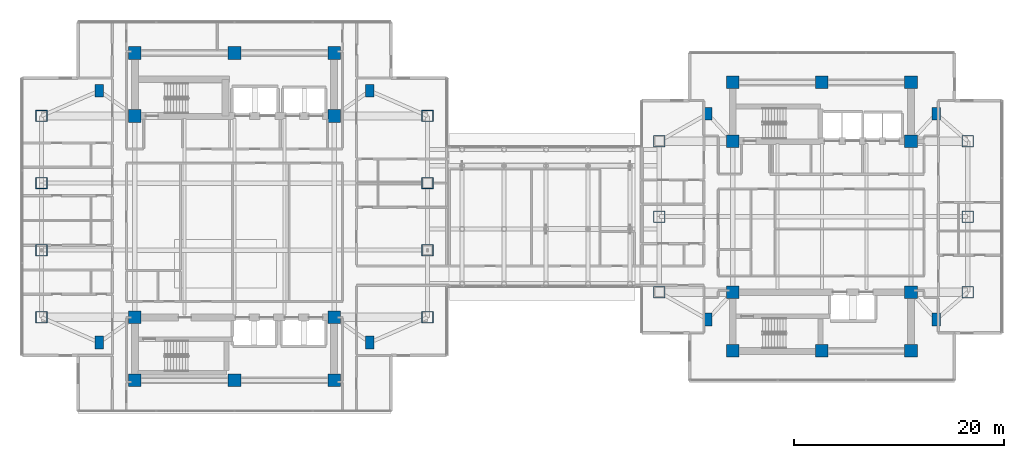
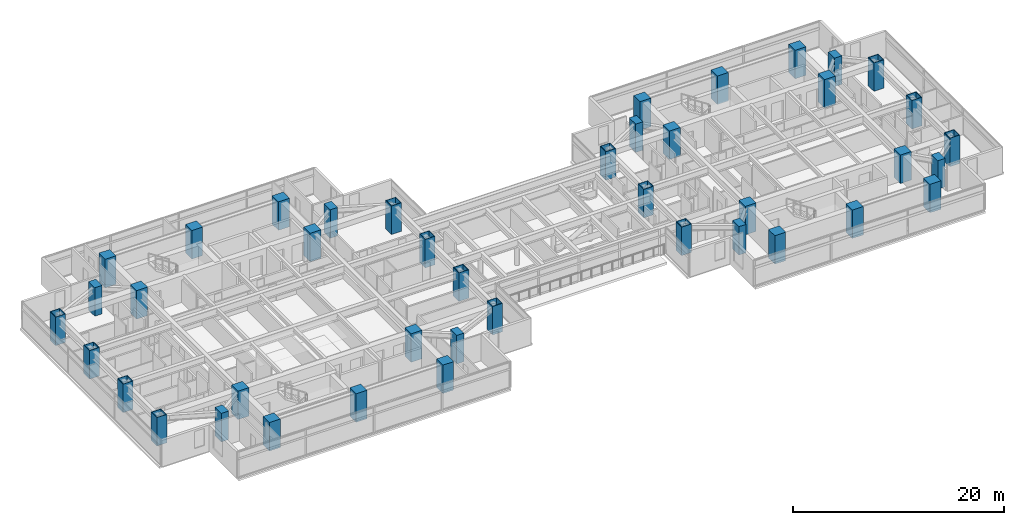
# One storey, part 1 of 29: 42 columns.
"""IFC4 building model written with IfcOpenShell, lengths in metres."""

from ifc_helpers import new_model, si_unit, direction, frame, origin, origin_2d, place, context, subcontext, project, spatial, rectangle, hollow_rectangle, extrude, material, material_profile, profile_set, type_object, element, save


model = new_model("IFC4")

# Units and contexts
model_context = context("Model", 3, precision=1e-05, world=origin(), true_north=direction((0.0, 1.0)))
body_context = subcontext(model_context, "Body", "Model", "MODEL_VIEW")
ifc_project = project(units=[si_unit("LENGTHUNIT", "METRE"), si_unit("AREAUNIT", "SQUARE_METRE"), si_unit("VOLUMEUNIT", "CUBIC_METRE"), si_unit("PLANEANGLEUNIT", "RADIAN"), si_unit("MASSUNIT", "GRAM", prefix="KILO")], contexts=[model_context])

# Site, building, storey
site_placement = place(None, origin())
site = spatial("IfcSite", under=ifc_project, at=site_placement, CompositionType="ELEMENT")
building_placement = place(site_placement, origin())
building = spatial("IfcBuilding", under=site, at=building_placement, Name="Mirazonda Arch Towers", CompositionType="ELEMENT")
storey_placement = place(building_placement, frame((0.0, 0.0, 88.39990234375)))
storey = spatial("IfcBuildingStorey", under=building, at=storey_placement, Name="L24", CompositionType="ELEMENT", Elevation=88.39990234375)

# Columns
ifc_material_1 = material(Name="Concrete C50/60", Category="concrete")
ifc_material_profile_1 = material_profile(ifc_material_1, rectangle(XDim=1.199951171875, YDim=1.199951171875, at=origin_2d()), Name="RC1200x1200")
ifc_profile_set_1 = profile_set([ifc_material_profile_1], Name="Concrete C50/60")
column_type_1 = type_object("IfcColumnType", Name="COL-INT-RC1200x1200", PredefinedType="COLUMN", material=ifc_profile_set_1)
for number, where, z_axis, x_axis, name in (
    (1, (11.0, 12.39990234375, 0.0), (0.0, 0.0, 1.0), (1.0, 0.0, 0.0), "L24 T1 Core Column 01"),
    (2, (20.5, 12.39990234375, 0.0), (0.0, 0.0, 1.0), (1.0, 0.0, 0.0), "L24 T1 Core Column 02"),
    (3, (30.0, 12.39990234375, 0.0), (0.0, 0.0, 1.0), (1.0, 0.0, 0.0), "L24 T1 Core Column 03"),
    (4, (11.0, 18.39990234375, 0.0), (0.0, 0.0, 1.0), (1.0, 0.0, 0.0), "L24 T1 Core Column 04"),
    (5, (30.0, 18.39990234375, 0.0), (0.0, 0.0, 1.0), (1.0, 0.0, 0.0), "L24 T1 Core Column 05"),
    (6, (11.0, 37.60009765625, 0.0), (0.0, 0.0, 1.0), (1.0, 0.0, 0.0), "L24 T1 Core Column 06"),
    (7, (30.0, 37.60009765625, 0.0), (0.0, 0.0, 1.0), (1.0, 0.0, 0.0), "L24 T1 Core Column 07"),
    (8, (11.0, 43.60009765625, 0.0), (0.0, 0.0, 1.0), (1.0, 0.0, 0.0), "L24 T1 Core Column 08"),
    (9, (20.5, 43.60009765625, 0.0), (0.0, 0.0, 1.0), (1.0, 0.0, 0.0), "L24 T1 Core Column 09"),
    (10, (30.0, 43.60009765625, 0.0), (0.0, 0.0, 1.0), (1.0, 0.0, 0.0), "L24 T1 Core Column 10"),
    (11, (68.0, 15.199951171875, 0.0), (0.0, 0.0, 1.0), (1.0, 0.0, 0.0), "L24 T2 Core Column 01"),
    (12, (76.5, 15.199951171875, 0.0), (0.0, 0.0, 1.0), (1.0, 0.0, 0.0), "L24 T2 Core Column 02"),
    (13, (85.0, 15.199951171875, 0.0), (0.0, 0.0, 1.0), (1.0, 0.0, 0.0), "L24 T2 Core Column 03"),
    (14, (68.0, 20.800048828125, 0.0), (0.0, 0.0, 1.0), (1.0, 0.0, 0.0), "L24 T2 Core Column 04"),
    (15, (85.0, 20.800048828125, 0.0), (0.0, 0.0, 1.0), (1.0, 0.0, 0.0), "L24 T2 Core Column 05"),
    (16, (68.0, 35.199951171875, 0.0), (0.0, 0.0, 1.0), (1.0, 0.0, 0.0), "L24 T2 Core Column 06"),
    (17, (85.0, 35.199951171875, 0.0), (0.0, 0.0, 1.0), (1.0, 0.0, 0.0), "L24 T2 Core Column 07"),
    (18, (68.0, 40.800048828125, 0.0), (0.0, 0.0, 1.0), (1.0, 0.0, 0.0), "L24 T2 Core Column 08"),
    (19, (76.5, 40.800048828125, 0.0), (0.0, 0.0, 1.0), (1.0, 0.0, 0.0), "L24 T2 Core Column 09"),
    (20, (85.0, 40.800048828125, 0.0), (0.0, 0.0, 1.0), (1.0, 0.0, 0.0), "L24 T2 Core Column 10"),
):
    element("IfcColumn", number, at=place(storey_placement, frame(where, z_axis=z_axis, x_axis=x_axis)), inside=storey, type_object=column_type_1, Name=name, PredefinedType="COLUMN", context=body_context, shape_type="SweptSolid", body=[
        extrude(rectangle(XDim=1.199951171875, YDim=1.199951171875, at=origin_2d()), origin(), (0.0, 0.0, 1.0), 3.300048828125),
    ])
ifc_material_2 = material(Name="Steel ASTM A572 Grade 50", Category="steel")
ifc_material_profile_2 = material_profile(ifc_material_2, hollow_rectangle(XDim=1.10009765625, YDim=1.10009765625, WallThickness=0.06005859375, at=origin_2d()), Name="BOX1100x1100x60")
ifc_profile_set_2 = profile_set([ifc_material_profile_2], Name="Steel ASTM A572 Grade 50")
column_type_2 = type_object("IfcColumnType", Name="MCOL-EXT-BOX1100x1100x60", PredefinedType="COLUMN", material=ifc_profile_set_2)
for number, where, z_axis, x_axis, name in (
    (21, (2.10009765625, 18.39990234375, 0.0), (0.0, 0.0, 1.0), (1.0, 0.0, 0.0), "L24 T1 Composite Mega-Column 01"),
    (22, (2.10009765625, 24.800048828125, 0.0), (0.0, 0.0, 1.0), (1.0, 0.0, 0.0), "L24 T1 Composite Mega-Column 02"),
    (23, (2.10009765625, 31.199951171875, 0.0), (0.0, 0.0, 1.0), (1.0, 0.0, 0.0), "L24 T1 Composite Mega-Column 03"),
    (24, (2.10009765625, 37.60009765625, 0.0), (0.0, 0.0, 1.0), (1.0, 0.0, 0.0), "L24 T1 Composite Mega-Column 04"),
    (25, (38.89990234375, 18.39990234375, 0.0), (0.0, 0.0, 1.0), (1.0, 0.0, 0.0), "L24 T1 Composite Mega-Column 05"),
    (26, (38.89990234375, 24.800048828125, 0.0), (0.0, 0.0, 1.0), (1.0, 0.0, 0.0), "L24 T1 Composite Mega-Column 06"),
    (27, (38.89990234375, 31.199951171875, 0.0), (0.0, 0.0, 1.0), (1.0, 0.0, 0.0), "L24 T1 Composite Mega-Column 07"),
    (28, (38.89990234375, 37.60009765625, 0.0), (0.0, 0.0, 1.0), (1.0, 0.0, 0.0), "L24 T1 Composite Mega-Column 08"),
    (29, (61.0, 20.800048828125, 0.0), (0.0, 0.0, 1.0), (1.0, 0.0, 0.0), "L24 T2 Composite Mega-Column 01"),
    (30, (61.0, 28.0, 0.0), (0.0, 0.0, 1.0), (1.0, 0.0, 0.0), "L24 T2 Composite Mega-Column 02"),
    (31, (61.0, 35.199951171875, 0.0), (0.0, 0.0, 1.0), (1.0, 0.0, 0.0), "L24 T2 Composite Mega-Column 03"),
    (32, (90.39990234375, 20.800048828125, 0.0), (0.0, 0.0, 1.0), (1.0, 0.0, 0.0), "L24 T2 Composite Mega-Column 04"),
    (33, (90.39990234375, 28.0, 0.0), (0.0, 0.0, 1.0), (1.0, 0.0, 0.0), "L24 T2 Composite Mega-Column 05"),
    (34, (90.39990234375, 35.199951171875, 0.0), (0.0, 0.0, 1.0), (1.0, 0.0, 0.0), "L24 T2 Composite Mega-Column 06"),
):
    element("IfcColumn", number, at=place(storey_placement, frame(where, z_axis=z_axis, x_axis=x_axis)), inside=storey, type_object=column_type_2, Name=name, PredefinedType="COLUMN", context=body_context, shape_type="SweptSolid", body=[
        extrude(hollow_rectangle(XDim=1.10009765625, YDim=1.10009765625, WallThickness=0.06005859375, at=origin_2d()), origin(), (0.0, 0.0, 1.0), 3.300048828125),
    ])
ifc_material_3 = material(Name="Concrete C60/75", Category="concrete")
ifc_material_profile_3 = material_profile(ifc_material_3, rectangle(XDim=0.800048828125, YDim=1.199951171875, at=origin_2d()), Name="RC1200x800")
ifc_profile_set_3 = profile_set([ifc_material_profile_3], Name="Concrete C60/75")
column_type_3 = type_object("IfcColumnType", Name="PIL-EXT-RC1200x800", PredefinedType="PILASTER", material=ifc_profile_set_3)
for number, where, z_axis, x_axis, name in (
    (35, (7.60009765625, 16.0, 0.0), (0.0, 0.0, 1.0), (1.0, 0.0, 0.0), "L24 T1 Corner Pilaster 01"),
    (36, (33.39990234375, 16.0, 0.0), (0.0, 0.0, 1.0), (1.0, 0.0, 0.0), "L24 T1 Corner Pilaster 02"),
    (37, (7.60009765625, 40.0, 0.0), (0.0, 0.0, 1.0), (1.0, 0.0, 0.0), "L24 T1 Corner Pilaster 03"),
    (38, (33.39990234375, 40.0, 0.0), (0.0, 0.0, 1.0), (1.0, 0.0, 0.0), "L24 T1 Corner Pilaster 04"),
    (39, (65.60009765625, 18.199951171875, 0.0), (0.0, 0.0, 1.0), (1.0, 0.0, 0.0), "L24 T2 Corner Pilaster 01"),
    (40, (87.39990234375, 18.199951171875, 0.0), (0.0, 0.0, 1.0), (1.0, 0.0, 0.0), "L24 T2 Corner Pilaster 02"),
    (41, (65.60009765625, 37.800048828125, 0.0), (0.0, 0.0, 1.0), (1.0, 0.0, 0.0), "L24 T2 Corner Pilaster 03"),
    (42, (87.39990234375, 37.800048828125, 0.0), (0.0, 0.0, 1.0), (1.0, 0.0, 0.0), "L24 T2 Corner Pilaster 04"),
):
    element("IfcColumn", number, at=place(storey_placement, frame(where, z_axis=z_axis, x_axis=x_axis)), inside=storey, type_object=column_type_3, Name=name, PredefinedType="PILASTER", context=body_context, shape_type="SweptSolid", body=[
        extrude(rectangle(XDim=0.800048828125, YDim=1.199951171875, at=origin_2d()), origin(), (0.0, 0.0, 1.0), 3.300048828125),
    ])

save(model, "model.ifc")
